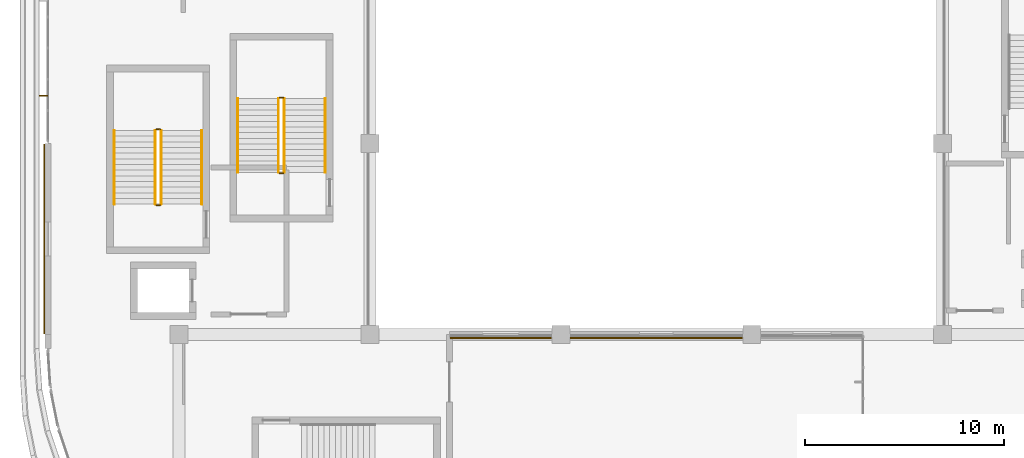
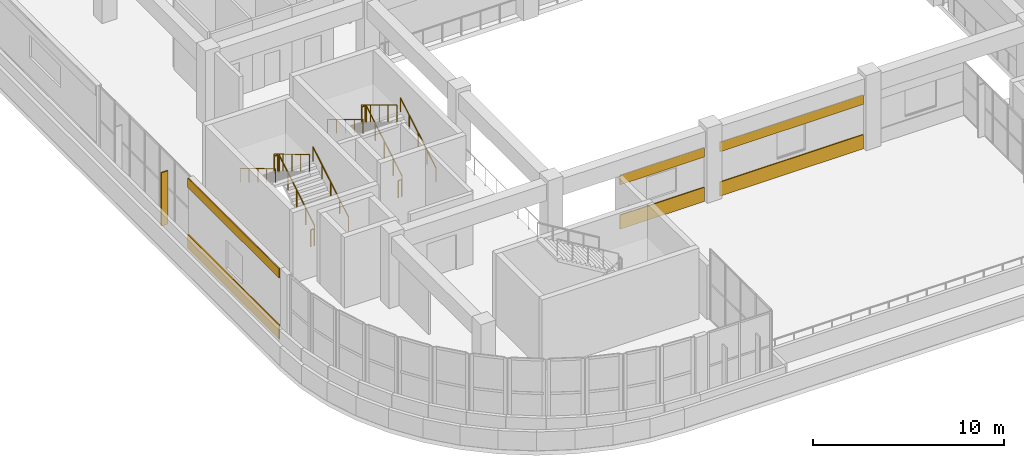
# One storey, part 76 of 96: 12 railings, 6 coverings, 1 shading device.
"""IFC4 building model written with IfcOpenShell, lengths in metres."""

from ifc_helpers import new_model, si_unit, direction, frame, origin, origin_2d, place, context, subcontext, project, spatial, rectangle, circle, extrude, material, layer, layer_set, type_object, element, save


model = new_model("IFC4")

# Units and contexts
model_context = context("Model", 3, precision=1e-05, world=origin(), true_north=direction((0.0, 1.0)))
body_context = subcontext(model_context, "Body", "Model", "MODEL_VIEW")
ifc_project = project(units=[si_unit("LENGTHUNIT", "METRE"), si_unit("AREAUNIT", "SQUARE_METRE"), si_unit("VOLUMEUNIT", "CUBIC_METRE"), si_unit("PLANEANGLEUNIT", "RADIAN"), si_unit("MASSUNIT", "GRAM", prefix="KILO")], contexts=[model_context])

# Site, building, storey
site_placement = place(None, origin())
site = spatial("IfcSite", under=ifc_project, at=site_placement, CompositionType="ELEMENT")
building_placement = place(site_placement, origin())
building = spatial("IfcBuilding", under=site, at=building_placement, Name="Cendralis Terraced Arcade", CompositionType="ELEMENT")
storey_placement = place(building_placement, frame((0.0, 0.0, 10.199951171875)))
storey = spatial("IfcBuildingStorey", under=building, at=storey_placement, Name="L02", CompositionType="ELEMENT", Elevation=10.199951171875)

# Coverings
ifc_material_1 = material(Name="Precast concrete f'c 40 MPa", Category="concrete")
ifc_layer = layer(ifc_material_1, 0.06494140625, Name="COV-CLAD-GRC-65")
ifc_layer_set = layer_set([ifc_layer], Name="Precast concrete f'c 40 MPa")
covering_type = type_object("IfcCoveringType", Name="COV-CLAD-GRC-65", PredefinedType="CLADDING", material=ifc_layer_set)
covering_1_placement = place(storey_placement, frame((33.60009765625, 19.02001953125, 0.0), z_axis=(0.0, 0.0, 1.0), x_axis=(-1.0, 0.0, 0.0)))
element("IfcCovering", 1, at=covering_1_placement, inside=storey, type_object=covering_type, Name="Banded Precast Stone Spandrel Cladding L02-311", PredefinedType="CLADDING", context=body_context, shape_type="SweptSolid", body=[
    extrude(rectangle(XDim=8.64404296875, YDim=0.06494140625, at=origin_2d()), origin(), (0.0, 0.0, 1.0), 0.89990234375),
])
covering_2_placement = place(storey_placement, frame((33.60009765625, 19.02001953125, 2.8349609375), z_axis=(0.0, 0.0, 1.0), x_axis=(-1.0, 0.0, 0.0)))
element("IfcCovering", 2, at=covering_2_placement, inside=storey, type_object=covering_type, Name="Banded Precast Stone Lintel Cladding L02-312", PredefinedType="CLADDING", context=body_context, shape_type="SweptSolid", body=[
    extrude(rectangle(XDim=8.64404296875, YDim=0.06494140625, at=origin_2d()), origin(), (0.0, 0.0, 1.0), 0.60009765625),
])
covering_3_placement = place(storey_placement, frame((25.77587890625, 19.02001953125, 0.0), z_axis=(0.0, 0.0, 1.0), x_axis=(-1.0, 0.0, 0.0)))
element("IfcCovering", 3, at=covering_3_placement, inside=storey, type_object=covering_type, Name="Banded Precast Stone Spandrel Cladding L02-313", PredefinedType="CLADDING", context=body_context, shape_type="SweptSolid", body=[
    extrude(rectangle(XDim=5.092041015625, YDim=0.06494140625, at=origin_2d()), origin(), (0.0, 0.0, 1.0), 0.89990234375),
])
covering_4_placement = place(storey_placement, frame((25.77587890625, 19.02001953125, 2.8349609375), z_axis=(0.0, 0.0, 1.0), x_axis=(-1.0, 0.0, 0.0)))
element("IfcCovering", 4, at=covering_4_placement, inside=storey, type_object=covering_type, Name="Banded Precast Stone Lintel Cladding L02-314", PredefinedType="CLADDING", context=body_context, shape_type="SweptSolid", body=[
    extrude(rectangle(XDim=5.092041015625, YDim=0.06494140625, at=origin_2d()), origin(), (0.0, 0.0, 1.0), 0.60009765625),
])
covering_5_placement = place(storey_placement, frame((2.820068359375, 24.0, 0.0), z_axis=(0.0, 0.0, 1.0), x_axis=(0.0, 1.0, 0.0)))
element("IfcCovering", 5, at=covering_5_placement, inside=storey, type_object=covering_type, Name="Banded Precast Stone Spandrel Cladding L02-315", PredefinedType="CLADDING", context=body_context, shape_type="SweptSolid", body=[
    extrude(rectangle(XDim=9.5400390625, YDim=0.06494140625, at=origin_2d()), origin(), (0.0, 0.0, 1.0), 0.89990234375),
])
covering_6_placement = place(storey_placement, frame((2.820068359375, 24.0, 3.89501953125), z_axis=(0.0, 0.0, 1.0), x_axis=(0.0, 1.0, 0.0)))
element("IfcCovering", 6, at=covering_6_placement, inside=storey, type_object=covering_type, Name="Banded Precast Stone Lintel Cladding L02-316", PredefinedType="CLADDING", context=body_context, shape_type="SweptSolid", body=[
    extrude(rectangle(XDim=9.5400390625, YDim=0.06494140625, at=origin_2d()), origin(), (0.0, 0.0, 1.0), 0.60009765625),
])

# Railings
ifc_material_2 = material(Name="Brushed stainless steel AISI 316", Category="steel")
railing_type_1 = type_object("IfcRailingType", Name="RL-STAIR-GUARD-1100", PredefinedType="GUARDRAIL", material=ifc_material_2)
railing_1_placement = place(storey_placement, frame((8.699951171875, 25.75, 0.17138671875)))
element("IfcRailing", 7, at=railing_1_placement, inside=storey, type_object=railing_type_1, Name="L02 ST-01 stair guard 1", PredefinedType="GUARDRAIL", context=body_context, shape_type="SweptSolid", body=[
    extrude(circle(Radius=0.02392578125, at=origin_2d()), frame((0.0, 0.0, 1.076171875), z_axis=(0.0, 0.856909459561, 0.515466951525), x_axis=(-1.0, 0.0, 0.0)), (0.0, 0.0, 1.0), 4.32373046875),
    extrude(circle(Radius=0.02099609375, at=origin_2d()), origin(), (0.0, 0.0, 1.0), 1.052001953125),
    extrude(circle(Radius=0.02099609375, at=origin_2d()), frame((0.0, 0.92626953125, 0.55712890625)), (0.0, 0.0, 1.0), 1.052001953125),
    extrude(circle(Radius=0.02099609375, at=origin_2d()), frame((0.0, 1.8525390625, 1.1142578125)), (0.0, 0.0, 1.0), 1.052001953125),
    extrude(circle(Radius=0.02099609375, at=origin_2d()), frame((0.0, 2.77880859375, 1.671630859375)), (0.0, 0.0, 1.0), 1.052001953125),
    extrude(circle(Radius=0.02099609375, at=origin_2d()), frame((0.0, 3.705078125, 2.228759765625)), (0.0, 0.0, 1.0), 1.052001953125),
])
railing_2_placement = place(storey_placement, frame((8.64990234375, 29.5048828125, 2.400146484375)))
element("IfcRailing", 8, at=railing_2_placement, inside=storey, type_object=railing_type_1, Name="L02 ST-01 stair guard 2", PredefinedType="GUARDRAIL", context=body_context, shape_type="SweptSolid", body=[
    extrude(circle(Radius=0.02392578125, at=origin_2d()), frame((0.0, 0.0, 1.076171875), z_axis=(-1.0, 0.0, 0.0), x_axis=(0.0, -1.0, 0.0)), (0.0, 0.0, 1.0), 0.199951171875),
    extrude(circle(Radius=0.02099609375, at=origin_2d()), origin(), (0.0, 0.0, 1.0), 1.052001953125),
    extrude(circle(Radius=0.02099609375, at=origin_2d()), frame((-0.199951171875, 0.0, 0.0)), (0.0, 0.0, 1.0), 1.052001953125),
])
railing_3_placement = place(storey_placement, frame((8.39990234375, 29.455078125, 2.571533203125)))
element("IfcRailing", 9, at=railing_3_placement, inside=storey, type_object=railing_type_1, Name="L02 ST-01 stair guard 3", PredefinedType="GUARDRAIL", context=body_context, shape_type="SweptSolid", body=[
    extrude(circle(Radius=0.02392578125, at=origin_2d()), frame((0.0, 0.0, 1.076171875), z_axis=(0.0, -0.856934400257, 0.515425487977), x_axis=(1.0, 0.0, 0.0)), (0.0, 0.0, 1.0), 4.32373046875),
    extrude(circle(Radius=0.02099609375, at=origin_2d()), origin(), (0.0, 0.0, 1.0), 1.052001953125),
    extrude(circle(Radius=0.02099609375, at=origin_2d()), frame((0.0, -0.92626953125, 0.55712890625)), (0.0, 0.0, 1.0), 1.052001953125),
    extrude(circle(Radius=0.02099609375, at=origin_2d()), frame((0.0, -1.8525390625, 1.1142578125)), (0.0, 0.0, 1.0), 1.052001953125),
    extrude(circle(Radius=0.02099609375, at=origin_2d()), frame((0.0, -2.77880859375, 1.67138671875)), (0.0, 0.0, 1.0), 1.052001953125),
    extrude(circle(Radius=0.02099609375, at=origin_2d()), frame((0.0, -3.705078125, 2.228515625)), (0.0, 0.0, 1.0), 1.052001953125),
])
railing_4_placement = place(storey_placement, frame((8.64990234375, 25.699951171875, 0.0)))
element("IfcRailing", 10, at=railing_4_placement, inside=storey, type_object=railing_type_1, Name="L02 ST-01 stair guard 4", PredefinedType="GUARDRAIL", context=body_context, shape_type="SweptSolid", body=[
    extrude(circle(Radius=0.02392578125, at=origin_2d()), frame((0.0, 0.0, 1.076171875), z_axis=(-1.0, 0.0, 0.0), x_axis=(0.0, -1.0, 0.0)), (0.0, 0.0, 1.0), 0.199951171875),
    extrude(circle(Radius=0.02099609375, at=origin_2d()), origin(), (0.0, 0.0, 1.0), 1.052001953125),
    extrude(circle(Radius=0.02099609375, at=origin_2d()), frame((-0.199951171875, 0.0, 0.0)), (0.0, 0.0, 1.0), 1.052001953125),
])
railing_5_placement = place(storey_placement, frame((14.89990234375, 27.35009765625, 0.17138671875)))
element("IfcRailing", 11, at=railing_5_placement, inside=storey, type_object=railing_type_1, Name="L02 ST-05 stair guard 1", PredefinedType="GUARDRAIL", context=body_context, shape_type="SweptSolid", body=[
    extrude(circle(Radius=0.02392578125, at=origin_2d()), frame((0.0, 0.0, 1.076171875), z_axis=(0.0, 0.856894455432, 0.515491893485), x_axis=(-1.0, 0.0, 0.0)), (0.0, 0.0, 1.0), 4.323486328125),
    extrude(circle(Radius=0.02099609375, at=origin_2d()), origin(), (0.0, 0.0, 1.0), 1.052001953125),
    extrude(circle(Radius=0.02099609375, at=origin_2d()), frame((0.0, 0.92626953125, 0.55712890625)), (0.0, 0.0, 1.0), 1.052001953125),
    extrude(circle(Radius=0.02099609375, at=origin_2d()), frame((0.0, 1.8525390625, 1.1142578125)), (0.0, 0.0, 1.0), 1.052001953125),
    extrude(circle(Radius=0.02099609375, at=origin_2d()), frame((0.0, 2.778564453125, 1.671630859375)), (0.0, 0.0, 1.0), 1.052001953125),
    extrude(circle(Radius=0.02099609375, at=origin_2d()), frame((0.0, 3.704833984375, 2.228759765625)), (0.0, 0.0, 1.0), 1.052001953125),
])
railing_6_placement = place(storey_placement, frame((14.85009765625, 31.10498046875, 2.400146484375)))
element("IfcRailing", 12, at=railing_6_placement, inside=storey, type_object=railing_type_1, Name="L02 ST-05 stair guard 2", PredefinedType="GUARDRAIL", context=body_context, shape_type="SweptSolid", body=[
    extrude(circle(Radius=0.02392578125, at=origin_2d()), frame((0.0, 0.0, 1.076171875), z_axis=(-1.0, 0.0, 0.0), x_axis=(0.0, -1.0, 0.0)), (0.0, 0.0, 1.0), 0.2001953125),
    extrude(circle(Radius=0.02099609375, at=origin_2d()), origin(), (0.0, 0.0, 1.0), 1.052001953125),
    extrude(circle(Radius=0.02099609375, at=origin_2d()), frame((-0.2001953125, 0.0, 0.0)), (0.0, 0.0, 1.0), 1.052001953125),
])
railing_7_placement = place(storey_placement, frame((14.60009765625, 31.054931640625, 2.571533203125)))
element("IfcRailing", 13, at=railing_7_placement, inside=storey, type_object=railing_type_1, Name="L02 ST-05 stair guard 3", PredefinedType="GUARDRAIL", context=body_context, shape_type="SweptSolid", body=[
    extrude(circle(Radius=0.02392578125, at=origin_2d()), frame((0.0, 0.0, 1.076171875), z_axis=(0.0, -0.856919398105, 0.515450429384), x_axis=(1.0, 0.0, 0.0)), (0.0, 0.0, 1.0), 4.323486328125),
    extrude(circle(Radius=0.02099609375, at=origin_2d()), origin(), (0.0, 0.0, 1.0), 1.052001953125),
    extrude(circle(Radius=0.02099609375, at=origin_2d()), frame((0.0, -0.92626953125, 0.55712890625)), (0.0, 0.0, 1.0), 1.052001953125),
    extrude(circle(Radius=0.02099609375, at=origin_2d()), frame((0.0, -1.8525390625, 1.1142578125)), (0.0, 0.0, 1.0), 1.052001953125),
    extrude(circle(Radius=0.02099609375, at=origin_2d()), frame((0.0, -2.778564453125, 1.67138671875)), (0.0, 0.0, 1.0), 1.052001953125),
    extrude(circle(Radius=0.02099609375, at=origin_2d()), frame((0.0, -3.704833984375, 2.228515625)), (0.0, 0.0, 1.0), 1.052001953125),
])
railing_8_placement = place(storey_placement, frame((14.85009765625, 27.300048828125, 0.0)))
element("IfcRailing", 14, at=railing_8_placement, inside=storey, type_object=railing_type_1, Name="L02 ST-05 stair guard 4", PredefinedType="GUARDRAIL", context=body_context, shape_type="SweptSolid", body=[
    extrude(circle(Radius=0.02392578125, at=origin_2d()), frame((0.0, 0.0, 1.076171875), z_axis=(-1.0, 0.0, 0.0), x_axis=(0.0, -1.0, 0.0)), (0.0, 0.0, 1.0), 0.2001953125),
    extrude(circle(Radius=0.02099609375, at=origin_2d()), origin(), (0.0, 0.0, 1.0), 1.052001953125),
    extrude(circle(Radius=0.02099609375, at=origin_2d()), frame((-0.2001953125, 0.0, 0.0)), (0.0, 0.0, 1.0), 1.052001953125),
])
railing_type_2 = type_object("IfcRailingType", Name="RL-STAIR-HAND-900", PredefinedType="HANDRAIL", material=ifc_material_2)
railing_9_placement = place(storey_placement, frame((10.75, 25.75, 0.17138671875)))
element("IfcRailing", 15, at=railing_9_placement, inside=storey, type_object=railing_type_2, Name="L02 ST-01 stair handrail 1", PredefinedType="HANDRAIL", context=body_context, shape_type="SweptSolid", body=[
    extrude(circle(Radius=0.02392578125, at=origin_2d()), frame((0.0, 0.0, 0.8759765625), z_axis=(0.0, 0.856909459561, 0.515466951525), x_axis=(-1.0, 0.0, 0.0)), (0.0, 0.0, 1.0), 4.32373046875),
    extrude(circle(Radius=0.02099609375, at=origin_2d()), origin(), (0.0, 0.0, 1.0), 0.851806640625),
    extrude(circle(Radius=0.02099609375, at=origin_2d()), frame((0.0, 0.92626953125, 0.55712890625)), (0.0, 0.0, 1.0), 0.851806640625),
    extrude(circle(Radius=0.02099609375, at=origin_2d()), frame((0.0, 1.8525390625, 1.1142578125)), (0.0, 0.0, 1.0), 0.851806640625),
    extrude(circle(Radius=0.02099609375, at=origin_2d()), frame((0.0, 2.77880859375, 1.671630859375)), (0.0, 0.0, 1.0), 0.851806640625),
    extrude(circle(Radius=0.02099609375, at=origin_2d()), frame((0.0, 3.705078125, 2.228759765625)), (0.0, 0.0, 1.0), 0.851806640625),
])
railing_10_placement = place(storey_placement, frame((6.35009765625, 29.455078125, 2.571533203125)))
element("IfcRailing", 16, at=railing_10_placement, inside=storey, type_object=railing_type_2, Name="L02 ST-01 stair handrail 2", PredefinedType="HANDRAIL", context=body_context, shape_type="SweptSolid", body=[
    extrude(circle(Radius=0.02392578125, at=origin_2d()), frame((0.0, 0.0, 0.8759765625), z_axis=(0.0, -0.856934400257, 0.515425487977), x_axis=(1.0, 0.0, 0.0)), (0.0, 0.0, 1.0), 4.32373046875),
    extrude(circle(Radius=0.02099609375, at=origin_2d()), origin(), (0.0, 0.0, 1.0), 0.851806640625),
    extrude(circle(Radius=0.02099609375, at=origin_2d()), frame((0.0, -0.92626953125, 0.55712890625)), (0.0, 0.0, 1.0), 0.851806640625),
    extrude(circle(Radius=0.02099609375, at=origin_2d()), frame((0.0, -1.8525390625, 1.1142578125)), (0.0, 0.0, 1.0), 0.851806640625),
    extrude(circle(Radius=0.02099609375, at=origin_2d()), frame((0.0, -2.77880859375, 1.67138671875)), (0.0, 0.0, 1.0), 0.851806640625),
    extrude(circle(Radius=0.02099609375, at=origin_2d()), frame((0.0, -3.705078125, 2.228515625)), (0.0, 0.0, 1.0), 0.851806640625),
])
railing_11_placement = place(storey_placement, frame((16.949951171875, 27.35009765625, 0.17138671875)))
element("IfcRailing", 17, at=railing_11_placement, inside=storey, type_object=railing_type_2, Name="L02 ST-05 stair handrail 1", PredefinedType="HANDRAIL", context=body_context, shape_type="SweptSolid", body=[
    extrude(circle(Radius=0.02392578125, at=origin_2d()), frame((0.0, 0.0, 0.8759765625), z_axis=(0.0, 0.856894455432, 0.515491893485), x_axis=(-1.0, 0.0, 0.0)), (0.0, 0.0, 1.0), 4.323486328125),
    extrude(circle(Radius=0.02099609375, at=origin_2d()), origin(), (0.0, 0.0, 1.0), 0.851806640625),
    extrude(circle(Radius=0.02099609375, at=origin_2d()), frame((0.0, 0.92626953125, 0.55712890625)), (0.0, 0.0, 1.0), 0.851806640625),
    extrude(circle(Radius=0.02099609375, at=origin_2d()), frame((0.0, 1.8525390625, 1.1142578125)), (0.0, 0.0, 1.0), 0.851806640625),
    extrude(circle(Radius=0.02099609375, at=origin_2d()), frame((0.0, 2.778564453125, 1.671630859375)), (0.0, 0.0, 1.0), 0.851806640625),
    extrude(circle(Radius=0.02099609375, at=origin_2d()), frame((0.0, 3.704833984375, 2.228759765625)), (0.0, 0.0, 1.0), 0.851806640625),
])
railing_12_placement = place(storey_placement, frame((12.550048828125, 31.054931640625, 2.571533203125)))
element("IfcRailing", 18, at=railing_12_placement, inside=storey, type_object=railing_type_2, Name="L02 ST-05 stair handrail 2", PredefinedType="HANDRAIL", context=body_context, shape_type="SweptSolid", body=[
    extrude(circle(Radius=0.02392578125, at=origin_2d()), frame((0.0, 0.0, 0.8759765625), z_axis=(0.0, -0.856919398105, 0.515450429384), x_axis=(1.0, 0.0, 0.0)), (0.0, 0.0, 1.0), 4.323486328125),
    extrude(circle(Radius=0.02099609375, at=origin_2d()), origin(), (0.0, 0.0, 1.0), 0.851806640625),
    extrude(circle(Radius=0.02099609375, at=origin_2d()), frame((0.0, -0.92626953125, 0.55712890625)), (0.0, 0.0, 1.0), 0.851806640625),
    extrude(circle(Radius=0.02099609375, at=origin_2d()), frame((0.0, -1.8525390625, 1.1142578125)), (0.0, 0.0, 1.0), 0.851806640625),
    extrude(circle(Radius=0.02099609375, at=origin_2d()), frame((0.0, -2.778564453125, 1.67138671875)), (0.0, 0.0, 1.0), 0.851806640625),
    extrude(circle(Radius=0.02099609375, at=origin_2d()), frame((0.0, -3.704833984375, 2.228515625)), (0.0, 0.0, 1.0), 0.851806640625),
])

# Shading device
ifc_material_3 = material(Name="Anodised aluminium EN AW-6063 T6", Category="aluminium")
shading_device_type = type_object("IfcShadingDeviceType", Name="SHD-FIN-420", PredefinedType="USERDEFINED", material=ifc_material_3)
shading_device_placement = place(storey_placement, frame((2.784912109375, 31.199951171875, 0.050048828125), z_axis=(0.0, 0.0, 1.0), x_axis=(0.0, 1.0, 0.0)))
element("IfcShadingDevice", 19, at=shading_device_placement, inside=storey, type_object=shading_device_type, Name="Parametric Vertical Solar Fin FIN-L02-083", ObjectType="FIN", PredefinedType="USERDEFINED", context=body_context, shape_type="SweptSolid", body=[
    extrude(rectangle(XDim=0.074951171875, YDim=0.419921875, at=origin_2d()), origin(), (0.0, 0.0, 1.0), 3.39990234375),
])

save(model, "model.ifc")
